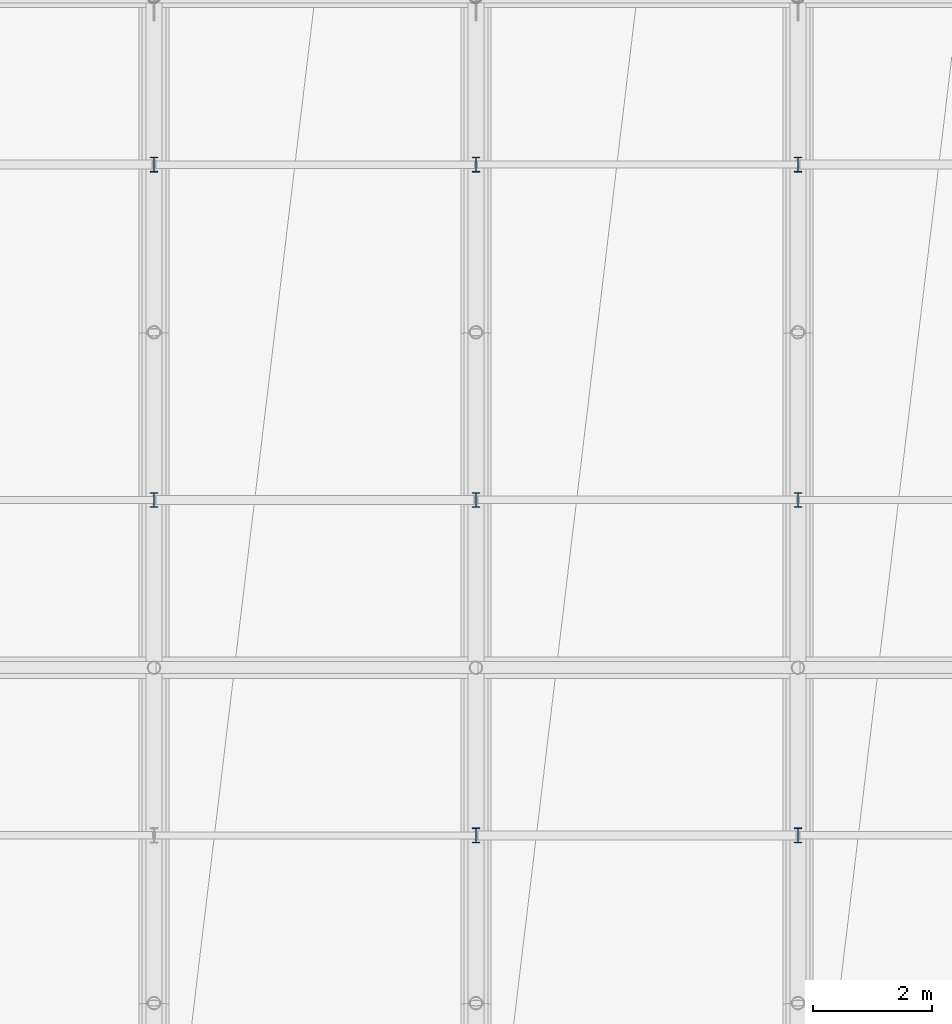
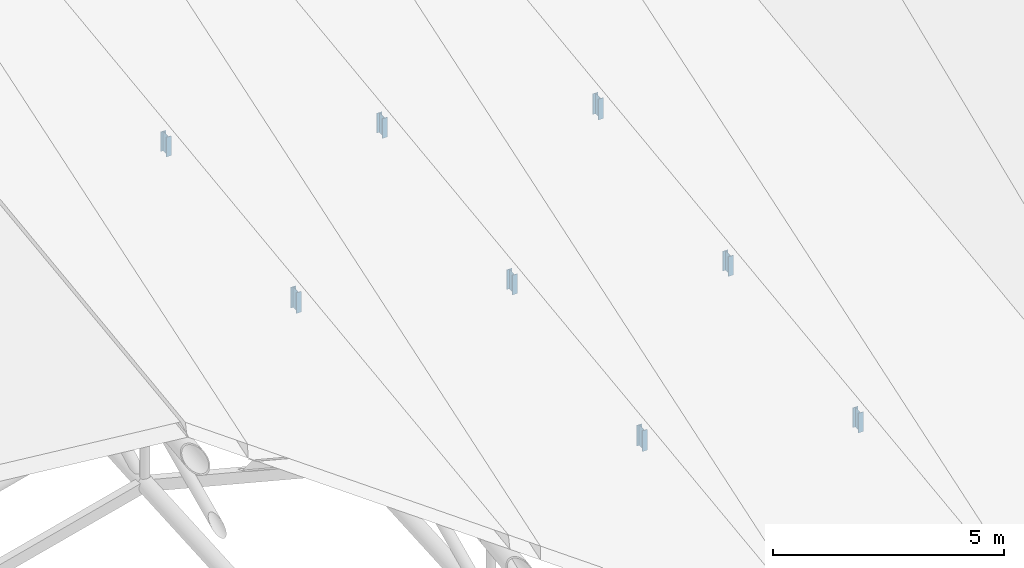
# One storey, part 61 of 109: 8 members.
"""IFC4 building model written with IfcOpenShell, lengths in metres."""

from ifc_helpers import new_model, si_unit, direction, frame, origin, origin_2d, place, context, subcontext, project, spatial, i_section, extrude, material, material_profile, profile_set, type_object, element, save


model = new_model("IFC4")

# Units and contexts
model_context = context("Model", 3, precision=1e-05, world=origin(), true_north=direction((0.0, 1.0)))
body_context = subcontext(model_context, "Body", "Model", "MODEL_VIEW")
ifc_project = project(units=[si_unit("LENGTHUNIT", "METRE"), si_unit("AREAUNIT", "SQUARE_METRE"), si_unit("VOLUMEUNIT", "CUBIC_METRE"), si_unit("PLANEANGLEUNIT", "RADIAN"), si_unit("MASSUNIT", "GRAM", prefix="KILO")], contexts=[model_context])

# Site, building, storey
site_placement = place(None, origin())
site = spatial("IfcSite", under=ifc_project, at=site_placement, CompositionType="ELEMENT")
building_placement = place(site_placement, origin())
building = spatial("IfcBuilding", under=site, at=building_placement, Name="Suirenkawa Promenade Aquatics Centre", CompositionType="ELEMENT")
storey_placement = place(building_placement, frame((0.0, 0.0, 22.800048828125)))
storey = spatial("IfcBuildingStorey", under=building, at=storey_placement, Name="ROOF", CompositionType="ELEMENT", Elevation=22.800048828125)

# Members
ifc_material = material(Name="Steel IS 2062 E350 (Grade 350)", Category="steel")
ifc_material_profile = material_profile(ifc_material, i_section(OverallWidth=0.125, OverallDepth=0.25, WebThickness=0.007080078125, FlangeThickness=0.012939453125, at=origin_2d()), Name="ISMB 250", Category="steel")
ifc_profile_set = profile_set([ifc_material_profile], Name="Steel IS 2062 E350 (Grade 350)")
member_type = type_object("IfcMemberType", Name="MT-WEB-CHS168", PredefinedType="BRACE", material=ifc_profile_set)
member_1_placement = place(storey_placement, frame((117.0, 64.462890625, -9.20703125), z_axis=(0.0, 0.0, 1.0), x_axis=(1.0, 0.0, 0.0)))
element("IfcMember", 1, at=member_1_placement, inside=storey, type_object=member_type, Name="ROOF TRUSS Purlin cleat post TD-03 MB-2126", PredefinedType="BRACE", context=body_context, shape_type="SweptSolid", body=[
    extrude(i_section(OverallWidth=0.125, OverallDepth=0.25, WebThickness=0.007080078125, FlangeThickness=0.012939453125, at=origin_2d()), origin(), (0.0, 0.0, 1.0), 0.5458984375),
])
member_2_placement = place(storey_placement, frame((117.0, 70.087890625, -8.48193359375), z_axis=(0.0, 0.0, 1.0), x_axis=(1.0, 0.0, 0.0)))
element("IfcMember", 2, at=member_2_placement, inside=storey, type_object=member_type, Name="ROOF TRUSS Purlin cleat post TD-03 MB-2128", PredefinedType="BRACE", context=body_context, shape_type="SweptSolid", body=[
    extrude(i_section(OverallWidth=0.125, OverallDepth=0.25, WebThickness=0.007080078125, FlangeThickness=0.012939453125, at=origin_2d()), origin(), (0.0, 0.0, 1.0), 0.518798828125),
])
member_3_placement = place(storey_placement, frame((122.39990234375, 58.8369140625, -11.3330078125), z_axis=(0.0, 0.0, 1.0), x_axis=(1.0, 0.0, 0.0)))
element("IfcMember", 3, at=member_3_placement, inside=storey, type_object=member_type, Name="ROOF TRUSS Purlin cleat post TD-03 MB-2160", PredefinedType="BRACE", context=body_context, shape_type="SweptSolid", body=[
    extrude(i_section(OverallWidth=0.125, OverallDepth=0.25, WebThickness=0.007080078125, FlangeThickness=0.012939453125, at=origin_2d()), origin(), (0.0, 0.0, 1.0), 0.546875),
])
member_4_placement = place(storey_placement, frame((122.39990234375, 64.462890625, -10.60693359375), z_axis=(0.0, 0.0, 1.0), x_axis=(1.0, 0.0, 0.0)))
element("IfcMember", 4, at=member_4_placement, inside=storey, type_object=member_type, Name="ROOF TRUSS Purlin cleat post TD-03 MB-2162", PredefinedType="BRACE", context=body_context, shape_type="SweptSolid", body=[
    extrude(i_section(OverallWidth=0.125, OverallDepth=0.25, WebThickness=0.007080078125, FlangeThickness=0.012939453125, at=origin_2d()), origin(), (0.0, 0.0, 1.0), 0.518798828125),
])
for number, where, z_axis, x_axis, name in (
    (5, (122.39990234375, 70.087890625, -9.882080078125), (0.0, 0.0, 1.0), (1.0, 0.0, 0.0), "ROOF TRUSS Purlin cleat post TD-03 MB-2164"),
    (6, (127.800048828125, 58.8369140625, -12.733154296875), (0.0, 0.0, 1.0), (1.0, 0.0, 0.0), "ROOF TRUSS Purlin cleat post TD-03 MB-2196"),
    (7, (127.800048828125, 64.462890625, -12.007080078125), (0.0, 0.0, 1.0), (1.0, 0.0, 0.0), "ROOF TRUSS Purlin cleat post TD-03 MB-2198"),
):
    element("IfcMember", number, at=place(storey_placement, frame(where, z_axis=z_axis, x_axis=x_axis)), inside=storey, type_object=member_type, Name=name, PredefinedType="BRACE", context=body_context, shape_type="SweptSolid", body=[
        extrude(i_section(OverallWidth=0.125, OverallDepth=0.25, WebThickness=0.007080078125, FlangeThickness=0.012939453125, at=origin_2d()), origin(), (0.0, 0.0, 1.0), 0.52001953125),
    ])
member_5_placement = place(storey_placement, frame((127.800048828125, 70.087890625, -11.281982421875), z_axis=(0.0, 0.0, 1.0), x_axis=(1.0, 0.0, 0.0)))
element("IfcMember", 8, at=member_5_placement, inside=storey, type_object=member_type, Name="ROOF TRUSS Purlin cleat post TD-03 MB-2200", PredefinedType="BRACE", context=body_context, shape_type="SweptSolid", body=[
    extrude(i_section(OverallWidth=0.125, OverallDepth=0.25, WebThickness=0.007080078125, FlangeThickness=0.012939453125, at=origin_2d()), origin(), (0.0, 0.0, 1.0), 0.5458984375),
])

save(model, "model.ifc")
